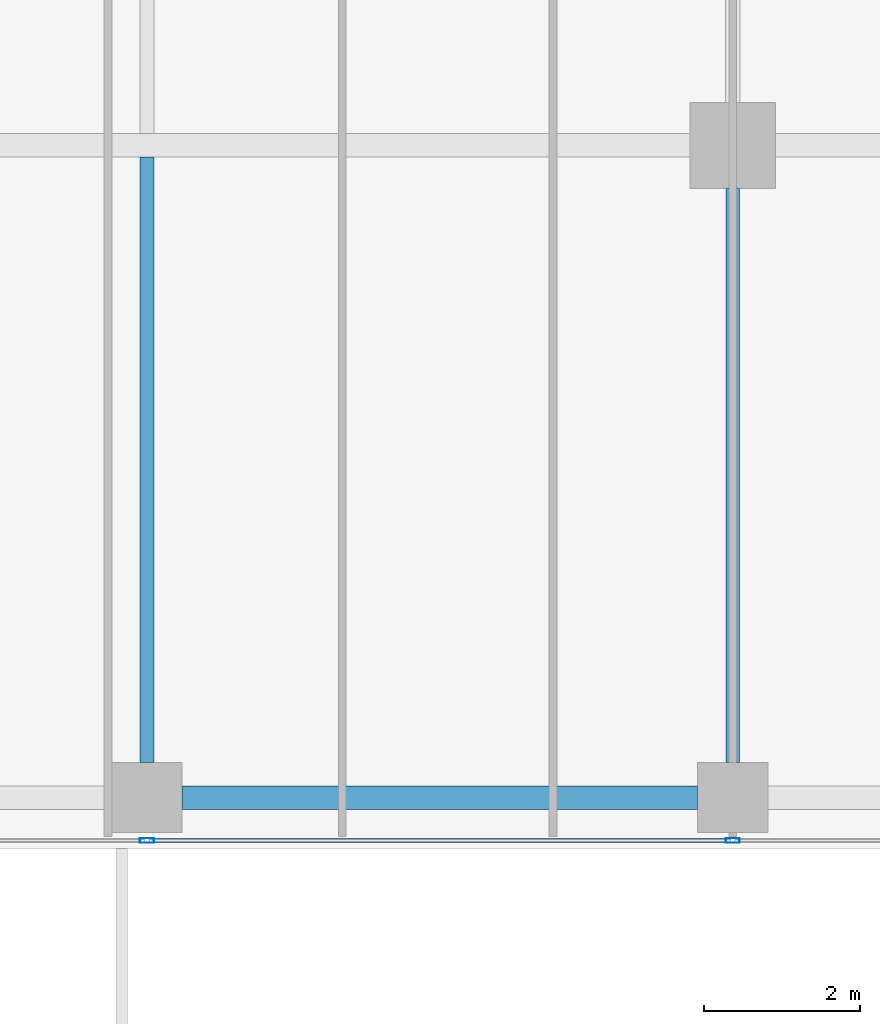
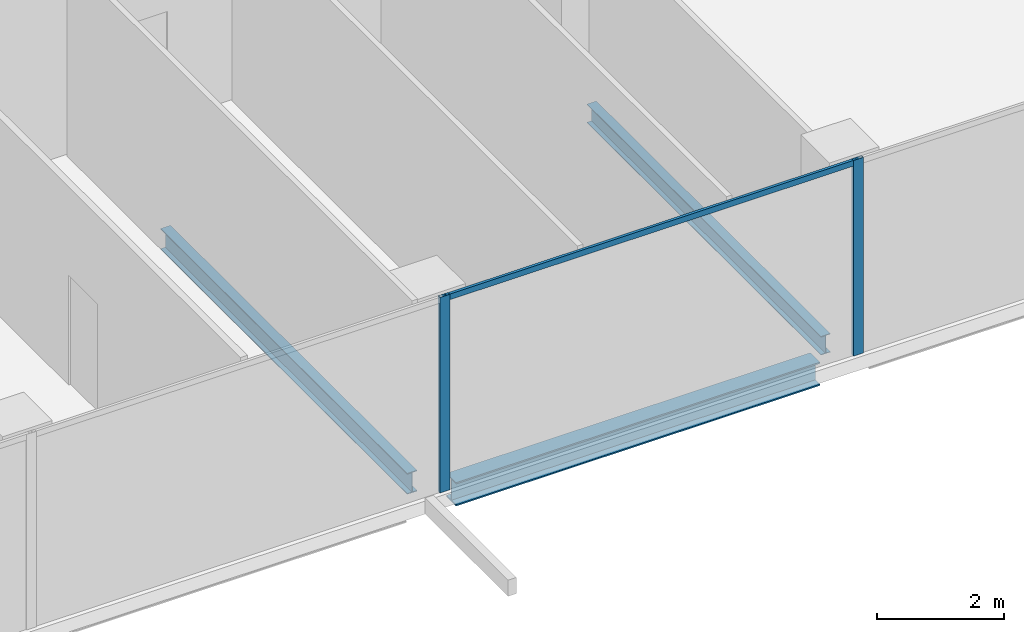
# One storey, part 5 of 34: 3 beams, 3 members, 1 element without a shape of its own.
"""IFC4 building model written with IfcOpenShell, lengths in metres."""

from ifc_helpers import new_model, si_unit, direction, frame, origin, origin_2d, place, context, subcontext, project, spatial, hollow_rectangle, i_section, extrude, source, transform, mapped, material, material_profile, profile_set, type_object, element, aggregate, save


model = new_model("IFC4")

# Units and contexts
model_context = context("Model", 3, precision=1e-05, world=origin(), true_north=direction((0.0, 1.0)))
body_context = subcontext(model_context, "Body", "Model", "MODEL_VIEW")
ifc_project = project(units=[si_unit("LENGTHUNIT", "METRE"), si_unit("AREAUNIT", "SQUARE_METRE"), si_unit("VOLUMEUNIT", "CUBIC_METRE"), si_unit("PLANEANGLEUNIT", "RADIAN"), si_unit("MASSUNIT", "GRAM", prefix="KILO")], contexts=[model_context])

# Site, building, storey
site_placement = place(None, origin())
site = spatial("IfcSite", under=ifc_project, at=site_placement, CompositionType="ELEMENT")
building_placement = place(site_placement, origin())
building = spatial("IfcBuilding", under=site, at=building_placement, Name="Khomas Fold Tower", CompositionType="ELEMENT")
storey_placement = place(building_placement, frame((0.0, 0.0, 254.199951171875)))
storey = spatial("IfcBuildingStorey", under=building, at=storey_placement, Name="L57", CompositionType="ELEMENT", Elevation=254.199951171875)

# Beams
ifc_material_1 = material(Name="Steel S355", Category="steel")
ifc_material_profile_1 = material_profile(ifc_material_1, i_section(OverallWidth=0.300048828125, OverallDepth=0.449951171875, WebThickness=0.013916015625, FlangeThickness=0.02587890625, at=origin_2d()), Name="HE 450 B")
ifc_profile_set_1 = profile_set([ifc_material_profile_1], Name="Steel S355")
beam_type_1 = type_object("IfcBeamType", Name="HE 450 B spandrel SB4", PredefinedType="SPANDREL", material=ifc_profile_set_1)
shared_shape_1 = source(origin(), body_context, "Body", "SweptSolid", [
    extrude(i_section(OverallWidth=0.300048828125, OverallDepth=0.449951171875, WebThickness=0.013916015625, FlangeThickness=0.02587890625, at=origin_2d()), origin(), (0.0, 0.0, 1.0), 6.60009765625),
])
beam_1_placement = place(storey_placement, frame((27.449951171875, 5.14990234375, -0.474853515625), z_axis=(1.0, 0.0, 0.0), x_axis=(0.0, 1.0, 0.0)))
element("IfcBeam", 1, at=beam_1_placement, inside=storey, type_object=beam_type_1, Name="SB4", PredefinedType="SPANDREL", context=body_context, shape_type="MappedRepresentation", body=[
    mapped(shared_shape_1, transform((0.0, 0.0, 0.0))),
])
ifc_material_2 = material(Name="Steel S355", Category="steel")
ifc_material_profile_2 = material_profile(ifc_material_2, i_section(OverallWidth=0.179931640625, OverallDepth=0.39990234375, WebThickness=0.008544921875, FlangeThickness=0.013427734375, at=origin_2d()), Name="IPE 400")
ifc_profile_set_2 = profile_set([ifc_material_profile_2], Name="Steel S355")
beam_type_2 = type_object("IfcBeamType", Name="IPE 400 beam JB3", PredefinedType="BEAM", material=ifc_profile_set_2)
shared_shape_2 = source(origin(), body_context, "Body", "SweptSolid", [
    extrude(i_section(OverallWidth=0.179931640625, OverallDepth=0.39990234375, WebThickness=0.008544921875, FlangeThickness=0.013427734375, at=origin_2d()), origin(), (0.0, 0.0, 1.0), 7.75),
])
beam_2_placement = place(storey_placement, frame((27.0, 5.60009765625, -0.449951171875), z_axis=(0.0, 1.0, 0.0), x_axis=(-1.0, 0.0, 0.0)))
element("IfcBeam", 2, at=beam_2_placement, inside=storey, type_object=beam_type_2, Name="JB3", PredefinedType="BEAM", context=body_context, shape_type="MappedRepresentation", body=[
    mapped(shared_shape_2, transform((0.0, 0.0, 0.0))),
])
ifc_material_3 = material(Name="Steel S355", Category="steel")
ifc_material_profile_3 = material_profile(ifc_material_3, i_section(OverallWidth=0.169921875, OverallDepth=0.360107421875, WebThickness=0.008056640625, FlangeThickness=0.0126953125, at=origin_2d()), Name="IPE 360")
ifc_profile_set_3 = profile_set([ifc_material_profile_3], Name="Steel S355")
beam_type_3 = type_object("IfcBeamType", Name="IPE 360 beam JB2", PredefinedType="BEAM", material=ifc_profile_set_3)
shared_shape_3 = source(origin(), body_context, "Body", "SweptSolid", [
    extrude(i_section(OverallWidth=0.169921875, OverallDepth=0.360107421875, WebThickness=0.008056640625, FlangeThickness=0.0126953125, at=origin_2d()), origin(), (0.0, 0.0, 1.0), 7.349853515625),
])
beam_3_placement = place(storey_placement, frame((34.5, 5.60009765625, -0.429931640625), z_axis=(0.0, 1.0, 0.0), x_axis=(-1.0, 0.0, 0.0)))
element("IfcBeam", 3, at=beam_3_placement, inside=storey, type_object=beam_type_3, Name="JB2", PredefinedType="BEAM", context=body_context, shape_type="MappedRepresentation", body=[
    mapped(shared_shape_3, transform((0.0, 0.0, 0.0))),
])

# Curtain wall, members
ifc_material_4 = material(Name="Aluminium framed double glazing", Category="aluminium")
curtain_wall_type = type_object("IfcCurtainWallType", Name="SK-Unitised clear-glass wall, office floors CW2", PredefinedType="NOTDEFINED", material=ifc_material_4)
curtain_wall_placement = place(storey_placement, origin())
curtain_wall = element("IfcCurtainWall", 4, at=curtain_wall_placement, inside=storey, type_object=curtain_wall_type, Name="CW2 run L57 00-0", PredefinedType="NOTDEFINED")
ifc_material_5 = material(Name="Aluminium", Category="aluminium")
ifc_material_profile_4 = material_profile(ifc_material_5, hollow_rectangle(XDim=0.06005859375, YDim=0.179931640625, WallThickness=0.00390625, at=origin_2d()), Name="SK-Unitised clear-glass wall, office floors mullion CW2-M")
ifc_profile_set_4 = profile_set([ifc_material_profile_4], Name="Aluminium")
member_type_1 = type_object("IfcMemberType", Name="SK-Unitised clear-glass wall, office floors mullion CW2-M", PredefinedType="MULLION", material=ifc_profile_set_4)
shared_shape_4 = source(origin(), body_context, "Body", "SweptSolid", [
    extrude(hollow_rectangle(XDim=0.06005859375, YDim=0.179931640625, WallThickness=0.00390625, at=origin_2d()), origin(), (0.0, 0.0, 1.0), 3.75),
])
member_1_placement = place(storey_placement, frame((27.0, 4.60009765625, 0.0), z_axis=(0.0, 0.0, 1.0), x_axis=(0.0, 1.0, 0.0)))
member_1 = element("IfcMember", 5, at=member_1_placement, type_object=member_type_1, Name="CW2 mullion 4", PredefinedType="MULLION", context=body_context, shape_type="MappedRepresentation", body=[
    mapped(shared_shape_4, transform((0.0, 0.0, 0.0))),
])
member_2_placement = place(storey_placement, frame((34.5, 4.60009765625, 0.0), z_axis=(0.0, 0.0, 1.0), x_axis=(0.0, 1.0, 0.0)))
member_2 = element("IfcMember", 6, at=member_2_placement, type_object=member_type_1, Name="CW2 mullion 5", PredefinedType="MULLION", context=body_context, shape_type="MappedRepresentation", body=[
    mapped(shared_shape_4, transform((0.0, 0.0, 0.0))),
])
ifc_material_6 = material(Name="Aluminium", Category="aluminium")
ifc_material_profile_5 = material_profile(ifc_material_6, hollow_rectangle(XDim=0.050048828125, YDim=0.110107421875, WallThickness=0.00390625, at=origin_2d()), Name="SK-Unitised clear-glass wall, office floors transom CW2-T")
ifc_profile_set_5 = profile_set([ifc_material_profile_5], Name="Aluminium")
member_type_2 = type_object("IfcMemberType", Name="SK-Unitised clear-glass wall, office floors transom CW2-T", PredefinedType="USERDEFINED", material=ifc_profile_set_5)
shared_shape_5 = source(origin(), body_context, "Body", "SweptSolid", [
    extrude(hollow_rectangle(XDim=0.050048828125, YDim=0.110107421875, WallThickness=0.00390625, at=origin_2d()), origin(), (0.0, 0.0, 1.0), 7.43994140625),
])
member_3_placement = place(storey_placement, frame((27.030029296875, 4.60009765625, 3.695068359375), z_axis=(1.0, 0.0, 0.0), x_axis=(0.0, 1.0, 0.0)))
member_3 = element("IfcMember", 7, at=member_3_placement, type_object=member_type_2, Name="CW2 transom 4", ObjectType="TRANSOM", PredefinedType="USERDEFINED", context=body_context, shape_type="MappedRepresentation", body=[
    mapped(shared_shape_5, transform((0.0, 0.0, 0.0))),
])
aggregate(curtain_wall, [member_1, member_2, member_3])

save(model, "model.ifc")
